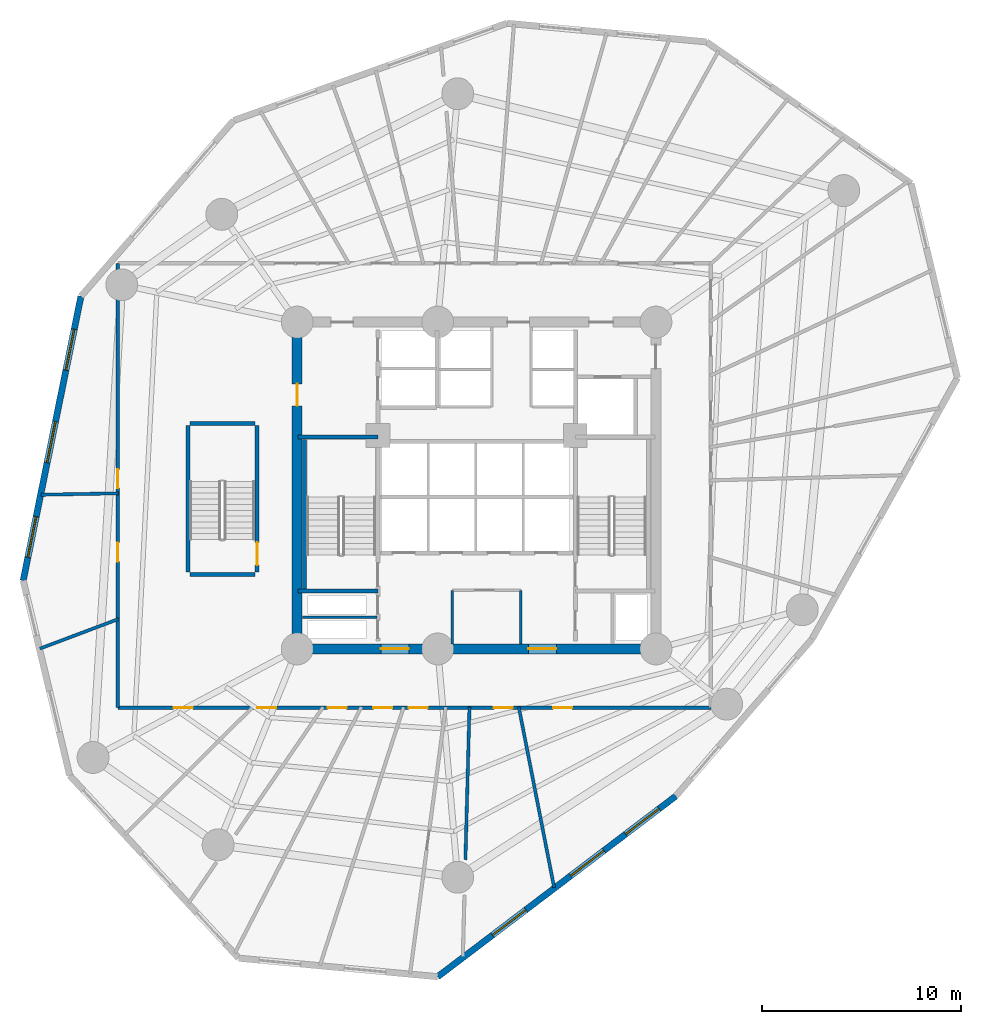
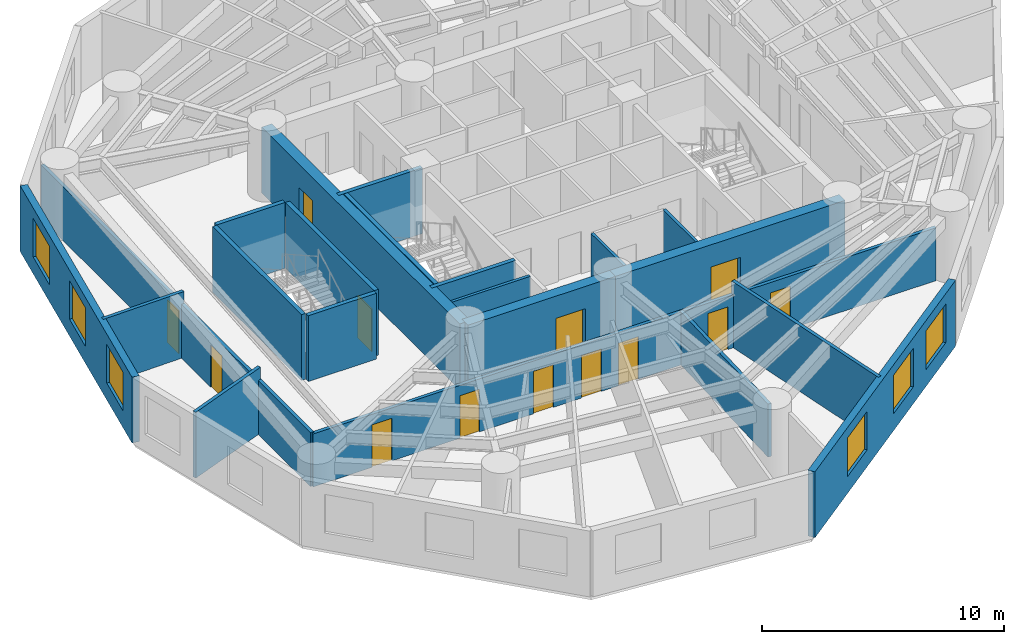
# One storey, part 3 of 8: 21 walls, 13 doors, 6 windows, 19 openings.
"""IFC4 building model written with IfcOpenShell, lengths in metres."""

from ifc_helpers import new_model, si_unit, direction, frame, frame_2d, origin, origin_with_axes, place, context, subcontext, project, spatial, rectangle, extrude, source, transform, mapped, material, layer, layer_set, type_object, element, fill, save


model = new_model("IFC4")

# Units and contexts
model_context = context("Model", 3, precision=1e-05, world=origin(), true_north=direction((0.0, 1.0)))
body_context = subcontext(model_context, "Body", "Model", "MODEL_VIEW")
ifc_project = project(units=[si_unit("LENGTHUNIT", "METRE"), si_unit("AREAUNIT", "SQUARE_METRE"), si_unit("VOLUMEUNIT", "CUBIC_METRE"), si_unit("PLANEANGLEUNIT", "RADIAN"), si_unit("MASSUNIT", "GRAM", prefix="KILO")], contexts=[model_context])

# Site, building, storey
site_placement = place(None, origin())
site = spatial("IfcSite", under=ifc_project, at=site_placement, CompositionType="ELEMENT")
building_placement = place(site_placement, origin())
building = spatial("IfcBuilding", under=site, at=building_placement, Name="Karkom Vertical University and Central Library", CompositionType="ELEMENT")
storey_placement = place(building_placement, frame((0.0, 0.0, 84.10009765625)))
storey = spatial("IfcBuildingStorey", under=building, at=storey_placement, Name="L22", CompositionType="ELEMENT", Elevation=84.10009765625)

# Wall, openings, windows
ifc_material_1 = material(Name="Brick-faced precast concrete C45/55", Category="masonry")
ifc_layer_1 = layer(ifc_material_1, 0.320068359375)
ifc_layer_set_1 = layer_set([ifc_layer_1], Name="Brick-faced precast concrete C45/55")
wall_type_1 = type_object("IfcWallType", Name="ENV-WL-BRK-320", PredefinedType="SOLIDWALL", material=ifc_layer_set_1)
wall_1_placement = place(storey_placement, frame((8.64892578125, 35.997314453125, 0.0), z_axis=(0.0, 0.0, 1.0), x_axis=(-0.199165339699, -0.979965901173, 0.0)))
wall_1 = element("IfcWall", 1, at=wall_1_placement, inside=storey, type_object=wall_type_1, Name="Level 22 Brick-Faced Precast Facade Wall 02", PredefinedType="SOLIDWALL", context=body_context, shape_type="SweptSolid", body=[
    extrude(rectangle(XDim=14.5615234375, YDim=0.320068359375, at=frame_2d((7.28076171875, 0.0))), origin(), (0.0, 0.0, 1.0), 3.324951171875),
])
opening_1_placement = place(wall_1_placement, frame((1.69287109375, 0.0, 0.85009765625)))
opening_1 = element("IfcOpeningElement", 2, at=opening_1_placement, cuts=wall_1, Name="Opening WN-03", PredefinedType="OPENING", context=body_context, shape_type="SweptSolid", body=[
    extrude(rectangle(XDim=2.10009765625, YDim=1.949951171875, at=frame_2d((1.050048828125, 0.97509765625))), frame((0.0, 0.169921875, 0.0), z_axis=(0.0, -1.0, 0.0), x_axis=(1.0, 0.0, 0.0)), (0.0, 0.0, 1.0), 0.340087890625),
])
opening_2_placement = place(wall_1_placement, frame((6.41845703125, 0.0, 0.85009765625)))
opening_2 = element("IfcOpeningElement", 3, at=opening_2_placement, cuts=wall_1, Name="Opening WN-03", PredefinedType="OPENING", context=body_context, shape_type="SweptSolid", body=[
    extrude(rectangle(XDim=2.10009765625, YDim=1.949951171875, at=frame_2d((1.050048828125, 0.97509765625))), frame((0.0, 0.169921875, 0.0), z_axis=(0.0, -1.0, 0.0), x_axis=(1.0, 0.0, 0.0)), (0.0, 0.0, 1.0), 0.340087890625),
])
opening_3_placement = place(wall_1_placement, frame((11.2763671875, 0.0, 0.85009765625)))
opening_3 = element("IfcOpeningElement", 4, at=opening_3_placement, cuts=wall_1, Name="Opening WN-03", PredefinedType="OPENING", context=body_context, shape_type="SweptSolid", body=[
    extrude(rectangle(XDim=2.10009765625, YDim=1.949951171875, at=frame_2d((1.050048828125, 0.97509765625))), frame((0.0, 0.169921875, 0.0), z_axis=(0.0, -1.0, 0.0), x_axis=(1.0, 0.0, 0.0)), (0.0, 0.0, 1.0), 0.340087890625),
])
ifc_material_2 = material(Name="Aluminium thermal-break frame with solar-control IGU", Category="aluminium")
window_type = type_object("IfcWindowType", Name="ENV-WIN-WN-03", PartitioningType="SINGLE_PANEL", PredefinedType="WINDOW", material=ifc_material_2)
shared_shape_1 = source(origin_with_axes(), body_context, "Body", "SweptSolid", [
    extrude(rectangle(XDim=2.10009765625, YDim=1.949951171875, at=frame_2d((1.050048828125, 0.97509765625))), frame((0.0, 0.030029296875, 0.0), z_axis=(0.0, -1.0, 0.0), x_axis=(1.0, 0.0, 0.0)), (0.0, 0.0, 1.0), 0.06005859375),
])
window_1_placement = place(opening_1_placement, origin())
window_1 = element("IfcWindow", 5, at=window_1_placement, inside=storey, type_object=window_type, Name="Level 22 Punched Window 2.1", OverallHeight=1.949951171875, OverallWidth=2.10009765625, PartitioningType="SINGLE_PANEL", PredefinedType="WINDOW", context=body_context, shape_type="MappedRepresentation", body=[
    mapped(shared_shape_1, transform((0.0, 0.0, 0.0), scale=1.0)),
])
fill(opening_1, window_1)
window_2_placement = place(opening_2_placement, origin())
window_2 = element("IfcWindow", 6, at=window_2_placement, inside=storey, type_object=window_type, Name="Level 22 Punched Window 2.2", OverallHeight=1.949951171875, OverallWidth=2.10009765625, PartitioningType="SINGLE_PANEL", PredefinedType="WINDOW", context=body_context, shape_type="MappedRepresentation", body=[
    mapped(shared_shape_1, transform((0.0, 0.0, 0.0), scale=1.0)),
])
fill(opening_2, window_2)
window_3_placement = place(opening_3_placement, origin())
window_3 = element("IfcWindow", 7, at=window_3_placement, inside=storey, type_object=window_type, Name="Level 22 Punched Window 2.3", OverallHeight=1.949951171875, OverallWidth=2.10009765625, PartitioningType="SINGLE_PANEL", PredefinedType="WINDOW", context=body_context, shape_type="MappedRepresentation", body=[
    mapped(shared_shape_1, transform((0.0, 0.0, 0.0), scale=1.0)),
])
fill(opening_3, window_3)

wall_2_placement = place(storey_placement, frame((26.544189453125, 1.85009765625, 0.0), z_axis=(0.0, 0.0, 1.0), x_axis=(0.796740715511, 0.604321298852, 0.0)))
wall_2 = element("IfcWall", 8, at=wall_2_placement, inside=storey, type_object=wall_type_1, Name="Level 22 Brick-Faced Precast Facade Wall 06", PredefinedType="SOLIDWALL", context=body_context, shape_type="SweptSolid", body=[
    extrude(rectangle(XDim=15.002197265625, YDim=0.320068359375, at=frame_2d((7.5009765625, 0.0))), origin(), (0.0, 0.0, 1.0), 3.324951171875),
])
opening_4_placement = place(wall_2_placement, frame((3.459716796875, 0.0, 0.85009765625)))
opening_4 = element("IfcOpeningElement", 9, at=opening_4_placement, cuts=wall_2, Name="Opening WN-03", PredefinedType="OPENING", context=body_context, shape_type="SweptSolid", body=[
    extrude(rectangle(XDim=2.10009765625, YDim=1.949951171875, at=frame_2d((1.050048828125, 0.97509765625))), frame((0.0, 0.169921875, 0.0), z_axis=(0.0, -1.0, 0.0), x_axis=(1.0, 0.0, 0.0)), (0.0, 0.0, 1.0), 0.340087890625),
])
opening_5_placement = place(wall_2_placement, frame((8.3798828125, 0.0, 0.85009765625)))
opening_5 = element("IfcOpeningElement", 10, at=opening_5_placement, cuts=wall_2, Name="Opening WN-03", PredefinedType="OPENING", context=body_context, shape_type="SweptSolid", body=[
    extrude(rectangle(XDim=2.10009765625, YDim=1.949951171875, at=frame_2d((1.050048828125, 0.97509765625))), frame((0.0, 0.169921875, 0.0), z_axis=(0.0, -1.0, 0.0), x_axis=(1.0, 0.0, 0.0)), (0.0, 0.0, 1.0), 0.340087890625),
])
opening_6_placement = place(wall_2_placement, frame((11.841552734375, 0.0, 0.85009765625)))
opening_6 = element("IfcOpeningElement", 11, at=opening_6_placement, cuts=wall_2, Name="Opening WN-03", PredefinedType="OPENING", context=body_context, shape_type="SweptSolid", body=[
    extrude(rectangle(XDim=2.10009765625, YDim=1.949951171875, at=frame_2d((1.050048828125, 0.97509765625))), frame((0.0, 0.169921875, 0.0), z_axis=(0.0, -1.0, 0.0), x_axis=(1.0, 0.0, 0.0)), (0.0, 0.0, 1.0), 0.340087890625),
])
window_4_placement = place(opening_4_placement, origin())
window_4 = element("IfcWindow", 12, at=window_4_placement, inside=storey, type_object=window_type, Name="Level 22 Punched Window 6.1", OverallHeight=1.949951171875, OverallWidth=2.10009765625, PartitioningType="SINGLE_PANEL", PredefinedType="WINDOW", context=body_context, shape_type="MappedRepresentation", body=[
    mapped(shared_shape_1, transform((0.0, 0.0, 0.0), scale=1.0)),
])
fill(opening_4, window_4)
window_5_placement = place(opening_5_placement, origin())
window_5 = element("IfcWindow", 13, at=window_5_placement, inside=storey, type_object=window_type, Name="Level 22 Punched Window 6.2", OverallHeight=1.949951171875, OverallWidth=2.10009765625, PartitioningType="SINGLE_PANEL", PredefinedType="WINDOW", context=body_context, shape_type="MappedRepresentation", body=[
    mapped(shared_shape_1, transform((0.0, 0.0, 0.0), scale=1.0)),
])
fill(opening_5, window_5)
window_6_placement = place(opening_6_placement, origin())
window_6 = element("IfcWindow", 14, at=window_6_placement, inside=storey, type_object=window_type, Name="Level 22 Punched Window 6.3", OverallHeight=1.949951171875, OverallWidth=2.10009765625, PartitioningType="SINGLE_PANEL", PredefinedType="WINDOW", context=body_context, shape_type="MappedRepresentation", body=[
    mapped(shared_shape_1, transform((0.0, 0.0, 0.0), scale=1.0)),
])
fill(opening_6, window_6)

# Wall, openings, doors
ifc_material_3 = material(Name="Insulated metal-stud drywall 160mm", Category="gypsum")
ifc_layer_2 = layer(ifc_material_3, 0.159912109375)
ifc_layer_set_2 = layer_set([ifc_layer_2], Name="Insulated metal-stud drywall 160mm")
wall_type_2 = type_object("IfcWallType", Name="INT-WL-COR-160", PredefinedType="PARTITIONING", material=ifc_layer_set_2)
wall_3_placement = place(storey_placement, frame((40.25, 15.35009765625, 0.0), z_axis=(0.0, 0.0, 1.0), x_axis=(-1.0, 0.0, 0.0)))
wall_3 = element("IfcWall", 15, at=wall_3_placement, inside=storey, type_object=wall_type_2, Name="Level 22 Interior Partition Wall L22-CORW-CW-001", PredefinedType="PARTITIONING", context=body_context, shape_type="SweptSolid", body=[
    extrude(rectangle(XDim=29.75, YDim=0.159912109375, at=frame_2d((14.875, 0.0))), origin(), (0.0, 0.0, 1.0), 2.6748046875),
])
opening_7_placement = place(wall_3_placement, frame((25.98828125, 0.0, 0.0)))
opening_7 = element("IfcOpeningElement", 16, at=opening_7_placement, cuts=wall_3, Name="Opening FD-RM2", PredefinedType="OPENING", context=body_context, shape_type="SweptSolid", body=[
    extrude(rectangle(XDim=0.9599609375, YDim=2.14990234375, at=frame_2d((0.47998046875, 1.074951171875))), frame((0.0, 0.08984375, 0.0), z_axis=(0.0, -1.0, 0.0), x_axis=(1.0, 0.0, 0.0)), (0.0, 0.0, 1.0), 0.179931640625),
])
opening_8_placement = place(wall_3_placement, frame((21.797607421875, 0.0, 0.0)))
opening_8 = element("IfcOpeningElement", 17, at=opening_8_placement, cuts=wall_3, Name="Opening D-RM1", PredefinedType="OPENING", context=body_context, shape_type="SweptSolid", body=[
    extrude(rectangle(XDim=0.949951171875, YDim=2.14990234375, at=frame_2d((0.47509765625, 1.074951171875))), frame((0.0, 0.08984375, 0.0), z_axis=(0.0, -1.0, 0.0), x_axis=(1.0, 0.0, 0.0)), (0.0, 0.0, 1.0), 0.179931640625),
])
opening_9_placement = place(wall_3_placement, frame((18.2724609375, 0.0, 0.0)))
opening_9 = element("IfcOpeningElement", 18, at=opening_9_placement, cuts=wall_3, Name="Opening D-RM1", PredefinedType="OPENING", context=body_context, shape_type="SweptSolid", body=[
    extrude(rectangle(XDim=0.949951171875, YDim=2.14990234375, at=frame_2d((0.47509765625, 1.074951171875))), frame((0.0, 0.08984375, 0.0), z_axis=(0.0, -1.0, 0.0), x_axis=(1.0, 0.0, 0.0)), (0.0, 0.0, 1.0), 0.179931640625),
])
opening_10_placement = place(wall_3_placement, frame((15.977294921875, 0.0, 0.0)))
opening_10 = element("IfcOpeningElement", 19, at=opening_10_placement, cuts=wall_3, Name="Opening D-RM1", PredefinedType="OPENING", context=body_context, shape_type="SweptSolid", body=[
    extrude(rectangle(XDim=0.949951171875, YDim=2.14990234375, at=frame_2d((0.47509765625, 1.074951171875))), frame((0.0, 0.08984375, 0.0), z_axis=(0.0, -1.0, 0.0), x_axis=(1.0, 0.0, 0.0)), (0.0, 0.0, 1.0), 0.179931640625),
])
opening_11_placement = place(wall_3_placement, frame((14.2099609375, 0.0, 0.0)))
opening_11 = element("IfcOpeningElement", 20, at=opening_11_placement, cuts=wall_3, Name="Opening D-RM1", PredefinedType="OPENING", context=body_context, shape_type="SweptSolid", body=[
    extrude(rectangle(XDim=0.949951171875, YDim=2.14990234375, at=frame_2d((0.47509765625, 1.074951171875))), frame((0.0, 0.08984375, 0.0), z_axis=(0.0, -1.0, 0.0), x_axis=(1.0, 0.0, 0.0)), (0.0, 0.0, 1.0), 0.179931640625),
])
opening_12_placement = place(wall_3_placement, frame((9.9375, 0.0, 0.0)))
opening_12 = element("IfcOpeningElement", 21, at=opening_12_placement, cuts=wall_3, Name="Opening D-RM1", PredefinedType="OPENING", context=body_context, shape_type="SweptSolid", body=[
    extrude(rectangle(XDim=0.949951171875, YDim=2.14990234375, at=frame_2d((0.47509765625, 1.074951171875))), frame((0.0, 0.08984375, 0.0), z_axis=(0.0, -1.0, 0.0), x_axis=(1.0, 0.0, 0.0)), (0.0, 0.0, 1.0), 0.179931640625),
])
opening_13_placement = place(wall_3_placement, frame((6.96240234375, 0.0, 0.0)))
opening_13 = element("IfcOpeningElement", 22, at=opening_13_placement, cuts=wall_3, Name="Opening D-RM1", PredefinedType="OPENING", context=body_context, shape_type="SweptSolid", body=[
    extrude(rectangle(XDim=0.949951171875, YDim=2.14990234375, at=frame_2d((0.47509765625, 1.074951171875))), frame((0.0, 0.08984375, 0.0), z_axis=(0.0, -1.0, 0.0), x_axis=(1.0, 0.0, 0.0)), (0.0, 0.0, 1.0), 0.179931640625),
])
ifc_material_4 = material(Name="Fire-rated oak veneer door", Category="wood")
door_type_1 = type_object("IfcDoorType", Name="INT-DR-FRM2", OperationType="NOTDEFINED", PredefinedType="DOOR", material=ifc_material_4)
shared_shape_2 = source(origin_with_axes(), body_context, "Body", "SweptSolid", [
    extrude(rectangle(XDim=0.9599609375, YDim=2.14990234375, at=frame_2d((0.47998046875, 1.074951171875))), frame((0.0, 0.02490234375, 0.0), z_axis=(0.0, -1.0, 0.0), x_axis=(1.0, 0.0, 0.0)), (0.0, 0.0, 1.0), 0.050048828125),
])
door_1_placement = place(opening_7_placement, origin())
door_1 = element("IfcDoor", 23, at=door_1_placement, inside=storey, type_object=door_type_1, Name="Level 22 Room Entry Door 010", OperationType="SINGLE_SWING_LEFT", OverallHeight=2.14990234375, OverallWidth=0.9599609375, PredefinedType="DOOR", context=body_context, shape_type="MappedRepresentation", body=[
    mapped(shared_shape_2, transform((0.0, 0.0, 0.0), scale=1.0)),
])
fill(opening_7, door_1)
ifc_material_5 = material(Name="Solid-core oak veneer door", Category="wood")
door_type_2 = type_object("IfcDoorType", Name="INT-DR-RM1", OperationType="NOTDEFINED", PredefinedType="DOOR", material=ifc_material_5)
shared_shape_3 = source(origin_with_axes(), body_context, "Body", "SweptSolid", [
    extrude(rectangle(XDim=0.949951171875, YDim=2.14990234375, at=frame_2d((0.47509765625, 1.074951171875))), frame((0.0, 0.02490234375, 0.0), z_axis=(0.0, -1.0, 0.0), x_axis=(1.0, 0.0, 0.0)), (0.0, 0.0, 1.0), 0.050048828125),
])
door_2_placement = place(opening_8_placement, origin())
door_2 = element("IfcDoor", 24, at=door_2_placement, inside=storey, type_object=door_type_2, Name="Level 22 Room Entry Door 020", OperationType="SINGLE_SWING_RIGHT", OverallHeight=2.14990234375, OverallWidth=0.949951171875, PredefinedType="DOOR", context=body_context, shape_type="MappedRepresentation", body=[
    mapped(shared_shape_3, transform((0.0, 0.0, 0.0), scale=1.0)),
])
fill(opening_8, door_2)
door_3_placement = place(opening_9_placement, origin())
door_3 = element("IfcDoor", 25, at=door_3_placement, inside=storey, type_object=door_type_2, Name="Level 22 Room Entry Door 030", OperationType="SINGLE_SWING_LEFT", OverallHeight=2.14990234375, OverallWidth=0.949951171875, PredefinedType="DOOR", context=body_context, shape_type="MappedRepresentation", body=[
    mapped(shared_shape_3, transform((0.0, 0.0, 0.0), scale=1.0)),
])
fill(opening_9, door_3)
door_4_placement = place(opening_10_placement, origin())
door_4 = element("IfcDoor", 26, at=door_4_placement, inside=storey, type_object=door_type_2, Name="Level 22 Room Entry Door 040", OperationType="SINGLE_SWING_RIGHT", OverallHeight=2.14990234375, OverallWidth=0.949951171875, PredefinedType="DOOR", context=body_context, shape_type="MappedRepresentation", body=[
    mapped(shared_shape_3, transform((0.0, 0.0, 0.0), scale=1.0)),
])
fill(opening_10, door_4)
door_5_placement = place(opening_11_placement, origin())
door_5 = element("IfcDoor", 27, at=door_5_placement, inside=storey, type_object=door_type_2, Name="Level 22 Room Entry Door 050", OperationType="SINGLE_SWING_LEFT", OverallHeight=2.14990234375, OverallWidth=0.949951171875, PredefinedType="DOOR", context=body_context, shape_type="MappedRepresentation", body=[
    mapped(shared_shape_3, transform((0.0, 0.0, 0.0), scale=1.0)),
])
fill(opening_11, door_5)
door_6_placement = place(opening_12_placement, origin())
door_6 = element("IfcDoor", 28, at=door_6_placement, inside=storey, type_object=door_type_2, Name="Level 22 Room Entry Door 070", OperationType="SINGLE_SWING_RIGHT", OverallHeight=2.14990234375, OverallWidth=0.949951171875, PredefinedType="DOOR", context=body_context, shape_type="MappedRepresentation", body=[
    mapped(shared_shape_3, transform((0.0, 0.0, 0.0), scale=1.0)),
])
fill(opening_12, door_6)
door_7_placement = place(opening_13_placement, origin())
door_7 = element("IfcDoor", 29, at=door_7_placement, inside=storey, type_object=door_type_2, Name="Level 22 Room Entry Door 080", OperationType="SINGLE_SWING_LEFT", OverallHeight=2.14990234375, OverallWidth=0.949951171875, PredefinedType="DOOR", context=body_context, shape_type="MappedRepresentation", body=[
    mapped(shared_shape_3, transform((0.0, 0.0, 0.0), scale=1.0)),
])
fill(opening_13, door_7)

wall_4_placement = place(storey_placement, frame((10.5, 15.35009765625, 0.0), z_axis=(0.0, 0.0, 1.0), x_axis=(0.0, 1.0, 0.0)))
wall_4 = element("IfcWall", 30, at=wall_4_placement, inside=storey, type_object=wall_type_2, Name="Level 22 Interior Partition Wall L22-CORW-CW-002", PredefinedType="PARTITIONING", context=body_context, shape_type="SweptSolid", body=[
    extrude(rectangle(XDim=22.2998046875, YDim=0.159912109375, at=frame_2d((11.14990234375, 0.0))), origin(), (0.0, 0.0, 1.0), 2.724853515625),
])
opening_14_placement = place(wall_4_placement, frame((7.330078125, 0.0, 0.0)))
opening_14 = element("IfcOpeningElement", 31, at=opening_14_placement, cuts=wall_4, Name="Opening D-RM1", PredefinedType="OPENING", context=body_context, shape_type="SweptSolid", body=[
    extrude(rectangle(XDim=0.949951171875, YDim=2.14990234375, at=frame_2d((0.47509765625, 1.074951171875))), frame((0.0, 0.08984375, 0.0), z_axis=(0.0, -1.0, 0.0), x_axis=(1.0, 0.0, 0.0)), (0.0, 0.0, 1.0), 0.179931640625),
])
opening_15_placement = place(wall_4_placement, frame((11.014892578125, 0.0, 0.0)))
opening_15 = element("IfcOpeningElement", 32, at=opening_15_placement, cuts=wall_4, Name="Opening D-RM1", PredefinedType="OPENING", context=body_context, shape_type="SweptSolid", body=[
    extrude(rectangle(XDim=0.949951171875, YDim=2.14990234375, at=frame_2d((0.47509765625, 1.074951171875))), frame((0.0, 0.08984375, 0.0), z_axis=(0.0, -1.0, 0.0), x_axis=(1.0, 0.0, 0.0)), (0.0, 0.0, 1.0), 0.179931640625),
])
door_8_placement = place(opening_14_placement, origin())
door_8 = element("IfcDoor", 33, at=door_8_placement, inside=storey, type_object=door_type_2, Name="Level 22 Room Entry Door 000", OperationType="SINGLE_SWING_RIGHT", OverallHeight=2.14990234375, OverallWidth=0.949951171875, PredefinedType="DOOR", context=body_context, shape_type="MappedRepresentation", body=[
    mapped(shared_shape_3, transform((0.0, 0.0, 0.0), scale=1.0)),
])
fill(opening_14, door_8)
door_9_placement = place(opening_15_placement, origin())
door_9 = element("IfcDoor", 34, at=door_9_placement, inside=storey, type_object=door_type_2, Name="Level 22 Room Entry Door 260", OperationType="SINGLE_SWING_RIGHT", OverallHeight=2.14990234375, OverallWidth=0.949951171875, PredefinedType="DOOR", context=body_context, shape_type="MappedRepresentation", body=[
    mapped(shared_shape_3, transform((0.0, 0.0, 0.0), scale=1.0)),
])
fill(opening_15, door_9)

# Walls
wall_5_placement = place(storey_placement, frame((30.617919921875, 15.37939453125, 0.0), z_axis=(0.0, 0.0, 1.0), x_axis=(0.192298041078, -0.981336569887, 0.0)))
element("IfcWall", 35, at=wall_5_placement, inside=storey, type_object=wall_type_2, Name="Level 22 Interior Partition Wall L22-PW-011", PredefinedType="PARTITIONING", context=body_context, shape_type="SweptSolid", body=[
    extrude(rectangle(XDim=9.22607421875, YDim=0.159912109375, at=frame_2d((4.613037109375, 0.0))), origin(), (0.0, 0.0, 1.0), 3.324951171875),
])
wall_6_placement = place(storey_placement, frame((28.143798828125, 15.39501953125, 0.0), z_axis=(0.0, 0.0, 1.0), x_axis=(-0.026661429297, -0.999644520911, 0.0)))
element("IfcWall", 36, at=wall_6_placement, inside=storey, type_object=wall_type_2, Name="Level 22 Interior Partition Wall L22-PW-009", PredefinedType="PARTITIONING", context=body_context, shape_type="SweptSolid", body=[
    extrude(rectangle(XDim=7.673583984375, YDim=0.159912109375, at=frame_2d((3.8369140625, 0.0))), origin(), (0.0, 0.0, 1.0), 2.6748046875),
])
wall_7_placement = place(storey_placement, frame((10.5419921875, 19.80419921875, 0.0), z_axis=(0.0, 0.0, 1.0), x_axis=(-0.935889146013, -0.35229463007, 0.0)))
element("IfcWall", 37, at=wall_7_placement, inside=storey, type_object=wall_type_2, Name="Level 22 Interior Partition Wall L22-PW-001", PredefinedType="PARTITIONING", context=body_context, shape_type="SweptSolid", body=[
    extrude(rectangle(XDim=4.225341796875, YDim=0.159912109375, at=frame_2d((2.11279296875, 0.0))), origin(), (0.0, 0.0, 1.0), 3.324951171875),
])
wall_8_placement = place(storey_placement, frame((6.651611328125, 26.03662109375, 0.0), z_axis=(0.0, 0.0, 1.0), x_axis=(0.999830141578, 0.018430626473, 0.0)))
element("IfcWall", 38, at=wall_8_placement, inside=storey, type_object=wall_type_2, Name="Level 22 Interior Partition Wall L22-PW-002", PredefinedType="PARTITIONING", context=body_context, shape_type="SweptSolid", body=[
    extrude(rectangle(XDim=3.89453125, YDim=0.159912109375, at=frame_2d((1.947265625, 0.0))), origin(), (0.0, 0.0, 1.0), 3.324951171875),
])
ifc_material_6 = material(Name="Metal-stud gypsum partition 140mm", Category="gypsum")
ifc_layer_3 = layer(ifc_material_6, 0.139892578125)
ifc_layer_set_3 = layer_set([ifc_layer_3], Name="Metal-stud gypsum partition 140mm")
wall_type_3 = type_object("IfcWallType", Name="INT-WL-SUB-140", PredefinedType="PARTITIONING", material=ifc_layer_set_3)
for number, where, z_axis, x_axis, name in (
    (39, (27.280029296875, 18.550048828125, 0.0), (0.0, 0.0, 1.0), (0.0, 1.0, 0.0), "Level 22 Interior Partition Wall L22-CW-KBAY-W"),
    (40, (30.719970703125, 18.550048828125, 0.0), (0.0, 0.0, 1.0), (0.0, 1.0, 0.0), "Level 22 Interior Partition Wall L22-CW-KBAY-E"),
):
    element("IfcWall", number, at=place(storey_placement, frame(where, z_axis=z_axis, x_axis=x_axis)), inside=storey, type_object=wall_type_3, Name=name, PredefinedType="PARTITIONING", context=body_context, shape_type="SweptSolid", body=[
        extrude(rectangle(XDim=2.68994140625, YDim=0.139892578125, at=frame_2d((1.344970703125, 0.0))), origin(), (0.0, 0.0, 1.0), 3.324951171875),
    ])
ifc_layer_4 = layer(ifc_material_6, 0.139892578125)
ifc_layer_set_4 = layer_set([ifc_layer_4], Name="Metal-stud gypsum partition 140mm")
wall_type_4 = type_object("IfcWallType", Name="INT-WL-SUB-140H", PredefinedType="PARTITIONING", material=ifc_layer_set_4)
wall_9_placement = place(storey_placement, frame((19.757080078125, 19.889892578125, 0.0), z_axis=(0.0, 0.0, 1.0), x_axis=(1.0, 0.0, 0.0)))
element("IfcWall", 41, at=wall_9_placement, inside=storey, type_object=wall_type_4, Name="Level 22 Interior Partition Wall L22-CW-RIS-W", PredefinedType="PARTITIONING", context=body_context, shape_type="SweptSolid", body=[
    extrude(rectangle(XDim=3.7392578125, YDim=0.139892578125, at=frame_2d((1.86962890625, 0.0))), origin(), (0.0, 0.0, 1.0), 3.324951171875),
])

# Wall, opening, door
ifc_material_7 = material(Name="Concrete C50/60", Category="concrete")
ifc_layer_5 = layer(ifc_material_7, 0.5)
ifc_layer_set_5 = layer_set([ifc_layer_5], Name="Concrete C50/60")
wall_type_5 = type_object("IfcWallType", Name="STR-WL-CW-500", PredefinedType="SHEAR", material=ifc_layer_set_5)
wall_10_placement = place(storey_placement, frame((19.5, 18.300048828125, 0.0), z_axis=(0.0, 0.0, 1.0), x_axis=(1.0, 0.0, 0.0)))
wall_10 = element("IfcWall", 42, at=wall_10_placement, inside=storey, type_object=wall_type_5, Name="Level 22 Central Core Shear Wall SW1", PredefinedType="SHEAR", context=body_context, shape_type="SweptSolid", body=[
    extrude(rectangle(XDim=7.050048828125, YDim=0.5, at=frame_2d((3.52490234375, 0.0))), origin(), (0.0, 0.0, 1.0), 3.324951171875),
])
opening_16_placement = place(wall_10_placement, frame((4.199951171875, 0.0, 0.0)))
opening_16 = element("IfcOpeningElement", 43, at=opening_16_placement, cuts=wall_10, Name="Opening FD-CLB", PredefinedType="OPENING", context=body_context, shape_type="SweptSolid", body=[
    extrude(rectangle(XDim=1.39990234375, YDim=2.199951171875, at=frame_2d((0.699951171875, 1.10009765625))), frame((0.0, 0.260009765625, 0.0), z_axis=(0.0, -1.0, 0.0), x_axis=(1.0, 0.0, 0.0)), (0.0, 0.0, 1.0), 0.52001953125),
])
ifc_material_8 = material(Name="Painted steel fire door", Category="steel")
door_type_3 = type_object("IfcDoorType", Name="INT-DR-CLB", OperationType="DOUBLE_DOOR_SINGLE_SWING", PredefinedType="DOOR", material=ifc_material_8)
shared_shape_4 = source(origin_with_axes(), body_context, "Body", "SweptSolid", [
    extrude(rectangle(XDim=1.39990234375, YDim=2.199951171875, at=frame_2d((0.699951171875, 1.10009765625))), frame((0.0, 0.02490234375, 0.0), z_axis=(0.0, -1.0, 0.0), x_axis=(1.0, 0.0, 0.0)), (0.0, 0.0, 1.0), 0.050048828125),
])
door_10_placement = place(opening_16_placement, origin())
door_10 = element("IfcDoor", 44, at=door_10_placement, inside=storey, type_object=door_type_3, Name="Level 22 South Core Lobby West Exit Door", OperationType="DOUBLE_DOOR_SINGLE_SWING", OverallHeight=2.199951171875, OverallWidth=1.39990234375, PredefinedType="DOOR", context=body_context, shape_type="MappedRepresentation", body=[
    mapped(shared_shape_4, transform((0.0, 0.0, 0.0), scale=1.0)),
])
fill(opening_16, door_10)

wall_11_placement = place(storey_placement, frame((26.550048828125, 18.300048828125, 0.0), z_axis=(0.0, 0.0, 1.0), x_axis=(1.0, 0.0, 0.0)))
wall_11 = element("IfcWall", 45, at=wall_11_placement, inside=storey, type_object=wall_type_5, Name="Level 22 Central Core Shear Wall SW2", PredefinedType="SHEAR", context=body_context, shape_type="SweptSolid", body=[
    extrude(rectangle(XDim=10.949951171875, YDim=0.5, at=frame_2d((5.47509765625, 0.0))), origin(), (0.0, 0.0, 1.0), 3.324951171875),
])
opening_17_placement = place(wall_11_placement, frame((4.550048828125, 0.0, 0.0)))
opening_17 = element("IfcOpeningElement", 46, at=opening_17_placement, cuts=wall_11, Name="Opening FD-CLB", PredefinedType="OPENING", context=body_context, shape_type="SweptSolid", body=[
    extrude(rectangle(XDim=1.39990234375, YDim=2.199951171875, at=frame_2d((0.699951171875, 1.10009765625))), frame((0.0, 0.260009765625, 0.0), z_axis=(0.0, -1.0, 0.0), x_axis=(1.0, 0.0, 0.0)), (0.0, 0.0, 1.0), 0.52001953125),
])
door_11_placement = place(opening_17_placement, origin())
door_11 = element("IfcDoor", 47, at=door_11_placement, inside=storey, type_object=door_type_3, Name="Level 22 South Core Lobby East Exit Door", OperationType="DOUBLE_DOOR_SINGLE_SWING", OverallHeight=2.199951171875, OverallWidth=1.39990234375, PredefinedType="DOOR", context=body_context, shape_type="MappedRepresentation", body=[
    mapped(shared_shape_4, transform((0.0, 0.0, 0.0), scale=1.0)),
])
fill(opening_17, door_11)

wall_12_placement = place(storey_placement, frame((19.5, 34.699951171875, 0.0), z_axis=(0.0, 0.0, 1.0), x_axis=(0.0, -1.0, 0.0)))
wall_12 = element("IfcWall", 48, at=wall_12_placement, inside=storey, type_object=wall_type_5, Name="Level 22 Central Core Shear Wall WW", PredefinedType="SHEAR", context=body_context, shape_type="SweptSolid", body=[
    extrude(rectangle(XDim=16.39990234375, YDim=0.5, at=frame_2d((8.199951171875, 0.0))), origin(), (0.0, 0.0, 1.0), 3.324951171875),
])
opening_18_placement = place(wall_12_placement, frame((3.10009765625, 0.0, 0.0)))
opening_18 = element("IfcOpeningElement", 49, at=opening_18_placement, cuts=wall_12, Name="Opening FD-FFL", PredefinedType="OPENING", context=body_context, shape_type="SweptSolid", body=[
    extrude(rectangle(XDim=1.10009765625, YDim=2.14990234375, at=frame_2d((0.550048828125, 1.074951171875))), frame((0.0, 0.260009765625, 0.0), z_axis=(0.0, -1.0, 0.0), x_axis=(1.0, 0.0, 0.0)), (0.0, 0.0, 1.0), 0.52001953125),
])
ifc_material_9 = material(Name="Painted steel smoke-seal fire door", Category="steel")
door_type_4 = type_object("IfcDoorType", Name="INT-DR-FFL", OperationType="NOTDEFINED", PredefinedType="DOOR", material=ifc_material_9)
shared_shape_5 = source(origin_with_axes(), body_context, "Body", "SweptSolid", [
    extrude(rectangle(XDim=1.10009765625, YDim=2.14990234375, at=frame_2d((0.550048828125, 1.074951171875))), frame((0.0, 0.02490234375, 0.0), z_axis=(0.0, -1.0, 0.0), x_axis=(1.0, 0.0, 0.0)), (0.0, 0.0, 1.0), 0.050048828125),
])
door_12_placement = place(opening_18_placement, origin())
door_12 = element("IfcDoor", 50, at=door_12_placement, inside=storey, type_object=door_type_4, Name="Level 22 West Corridor Firefighting Lobby Door", OperationType="SINGLE_SWING_LEFT", OverallHeight=2.14990234375, OverallWidth=1.10009765625, PredefinedType="DOOR", context=body_context, shape_type="MappedRepresentation", body=[
    mapped(shared_shape_5, transform((0.0, 0.0, 0.0), scale=1.0)),
])
fill(opening_18, door_12)

# Walls
ifc_material_10 = material(Name="Concrete C45/55", Category="concrete")
ifc_layer_6 = layer(ifc_material_10, 0.199951171875)
ifc_layer_set_6 = layer_set([ifc_layer_6], Name="Concrete C45/55")
wall_type_6 = type_object("IfcWallType", Name="STR-WL-ST-200", PredefinedType="SHEAR", material=ifc_layer_set_6)
wall_13_placement = place(storey_placement, frame((19.875, 21.320068359375, 0.0), z_axis=(0.0, 0.0, 1.0), x_axis=(0.0, 1.0, 0.0)))
element("IfcWall", 51, at=wall_13_placement, inside=storey, type_object=wall_type_6, Name="Level 22 Core Shaft Wall L22-CW-ST1-W", PredefinedType="SHEAR", context=body_context, shape_type="SweptSolid", body=[
    extrude(rectangle(XDim=7.5, YDim=0.199951171875, at=frame_2d((3.75, 0.0))), origin(), (0.0, 0.0, 1.0), 3.324951171875),
])
wall_14_placement = place(storey_placement, frame((14.014892578125, 22.14990234375, 0.0), z_axis=(0.0, 0.0, 1.0), x_axis=(0.0, 1.0, 0.0)))
element("IfcWall", 52, at=wall_14_placement, inside=storey, type_object=wall_type_6, Name="Level 22 Core Shaft Wall L22-W-ST3-W", PredefinedType="SHEAR", context=body_context, shape_type="SweptSolid", body=[
    extrude(rectangle(XDim=7.35009765625, YDim=0.199951171875, at=frame_2d((3.675048828125, 0.0))), origin(), (0.0, 0.0, 1.0), 3.324951171875),
])

# Wall, opening, door
wall_15_placement = place(storey_placement, frame((17.485107421875, 22.14990234375, 0.0), z_axis=(0.0, 0.0, 1.0), x_axis=(0.0, 1.0, 0.0)))
wall_15 = element("IfcWall", 53, at=wall_15_placement, inside=storey, type_object=wall_type_6, Name="Level 22 Core Shaft Wall L22-W-ST3-E", PredefinedType="SHEAR", context=body_context, shape_type="SweptSolid", body=[
    extrude(rectangle(XDim=7.35009765625, YDim=0.199951171875, at=frame_2d((3.675048828125, 0.0))), origin(), (0.0, 0.0, 1.0), 3.324951171875),
])
opening_19_placement = place(wall_15_placement, frame((0.35009765625, 0.0, 0.0)))
opening_19 = element("IfcOpeningElement", 54, at=opening_19_placement, cuts=wall_15, Name="Opening FD-ST1", PredefinedType="OPENING", context=body_context, shape_type="SweptSolid", body=[
    extrude(rectangle(XDim=1.14990234375, YDim=2.14990234375, at=frame_2d((0.574951171875, 1.074951171875))), frame((0.0, 0.10986328125, 0.0), z_axis=(0.0, -1.0, 0.0), x_axis=(1.0, 0.0, 0.0)), (0.0, 0.0, 1.0), 0.219970703125),
])
ifc_material_11 = material(Name="Painted steel acoustic fire door", Category="steel")
door_type_5 = type_object("IfcDoorType", Name="INT-DR-ST1", OperationType="NOTDEFINED", PredefinedType="DOOR", material=ifc_material_11)
shared_shape_6 = source(origin_with_axes(), body_context, "Body", "SweptSolid", [
    extrude(rectangle(XDim=1.14990234375, YDim=2.14990234375, at=frame_2d((0.574951171875, 1.074951171875))), frame((0.0, 0.02490234375, 0.0), z_axis=(0.0, -1.0, 0.0), x_axis=(1.0, 0.0, 0.0)), (0.0, 0.0, 1.0), 0.050048828125),
])
door_13_placement = place(opening_19_placement, origin())
door_13 = element("IfcDoor", 55, at=door_13_placement, inside=storey, type_object=door_type_5, Name="Level 22 Stair ST-3 Fire Door", OperationType="SINGLE_SWING_LEFT", OverallHeight=2.14990234375, OverallWidth=1.14990234375, PredefinedType="DOOR", context=body_context, shape_type="MappedRepresentation", body=[
    mapped(shared_shape_6, transform((0.0, 0.0, 0.0), scale=1.0)),
])
fill(opening_19, door_13)

# Walls
for number, where, z_axis, x_axis, name in (
    (56, (19.550048828125, 21.215087890625, 0.0), (0.0, 0.0, 1.0), (1.0, 0.0, 0.0), "Level 22 Core Shaft Wall L22-CW-ST1-S"),
    (57, (19.550048828125, 28.925048828125, 0.0), (0.0, 0.0, 1.0), (1.0, 0.0, 0.0), "Level 22 Core Shaft Wall L22-CW-ST1-N"),
):
    element("IfcWall", number, at=place(storey_placement, frame(where, z_axis=z_axis, x_axis=x_axis)), inside=storey, type_object=wall_type_6, Name=name, PredefinedType="SHEAR", context=body_context, shape_type="SweptSolid", body=[
        extrude(rectangle(XDim=3.994873046875, YDim=0.199951171875, at=frame_2d((1.99755859375, 0.0))), origin(), (0.0, 0.0, 1.0), 3.324951171875),
    ])
for number, where, z_axis, x_axis, name in (
    (58, (14.1201171875, 22.044921875, 0.0), (0.0, 0.0, 1.0), (1.0, 0.0, 0.0), "Level 22 Core Shaft Wall L22-W-ST3-S"),
    (59, (14.1201171875, 29.60498046875, 0.0), (0.0, 0.0, 1.0), (1.0, 0.0, 0.0), "Level 22 Core Shaft Wall L22-W-ST3-N"),
):
    element("IfcWall", number, at=place(storey_placement, frame(where, z_axis=z_axis, x_axis=x_axis)), inside=storey, type_object=wall_type_6, Name=name, PredefinedType="SHEAR", context=body_context, shape_type="SweptSolid", body=[
        extrude(rectangle(XDim=3.259765625, YDim=0.199951171875, at=frame_2d((1.6298828125, 0.0))), origin(), (0.0, 0.0, 1.0), 3.324951171875),
    ])

save(model, "model.ifc")
